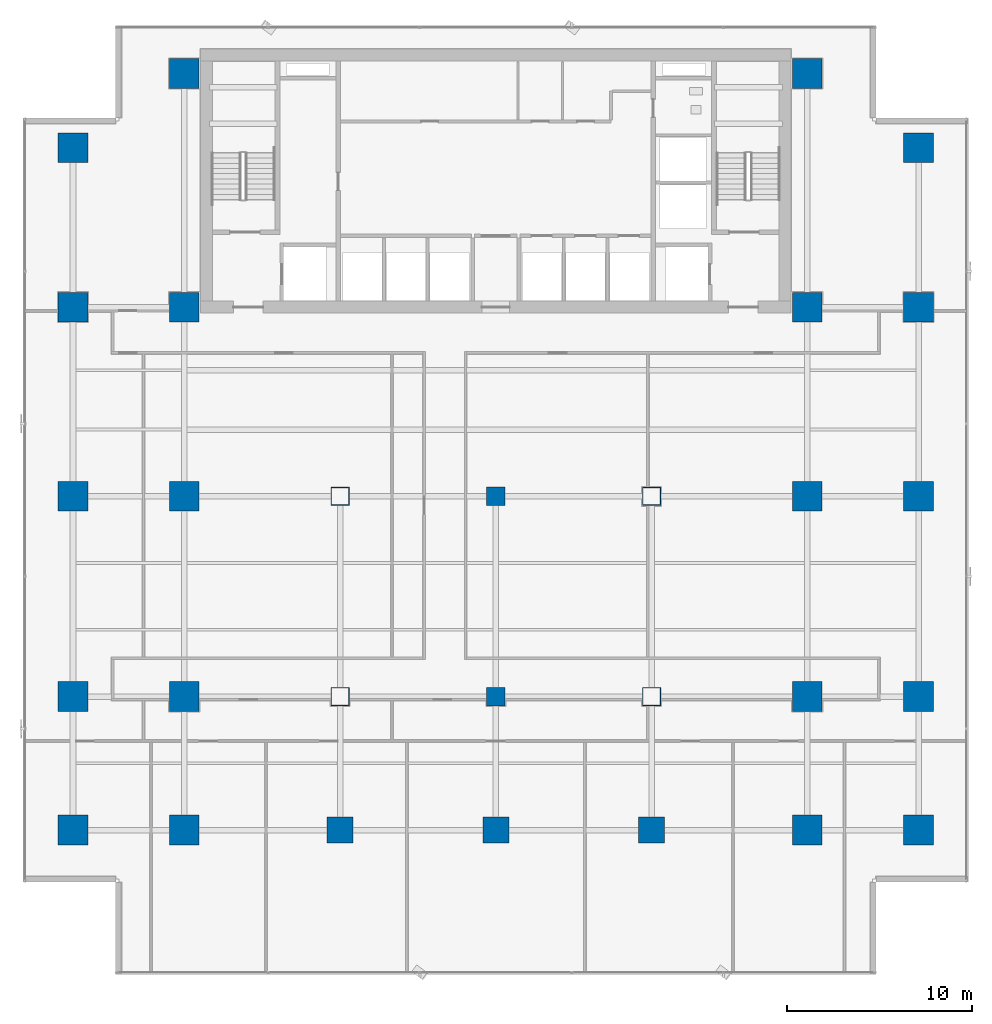
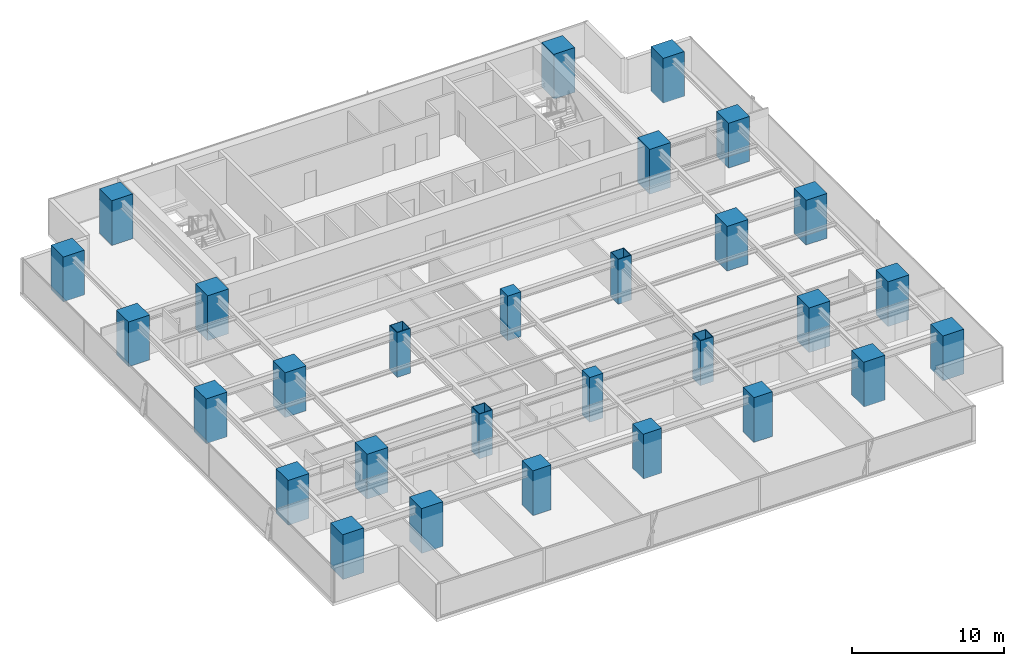
# One storey, part 1 of 37: 29 columns.
"""IFC4 building model written with IfcOpenShell, lengths in metres."""

from ifc_helpers import new_model, si_unit, direction, frame, origin, origin_2d, place, context, subcontext, project, spatial, rectangle, hollow_rectangle, extrude, source, transform, mapped, material, material_profile, profile_set, type_object, element, save


model = new_model("IFC4")

# Units and contexts
model_context = context("Model", 3, precision=1e-05, world=origin(), true_north=direction((0.0, 1.0)))
body_context = subcontext(model_context, "Body", "Model", "MODEL_VIEW")
ifc_project = project(units=[si_unit("LENGTHUNIT", "METRE"), si_unit("AREAUNIT", "SQUARE_METRE"), si_unit("VOLUMEUNIT", "CUBIC_METRE"), si_unit("PLANEANGLEUNIT", "RADIAN"), si_unit("MASSUNIT", "GRAM", prefix="KILO")], contexts=[model_context])

# Site, building, storey
site_placement = place(None, origin())
site = spatial("IfcSite", under=ifc_project, at=site_placement, CompositionType="ELEMENT")
building_placement = place(site_placement, origin())
building = spatial("IfcBuilding", under=site, at=building_placement, Name="Sumidabori Civic Tower", CompositionType="ELEMENT")
storey_placement = place(building_placement, frame((0.0, 0.0, 81.199951171875)))
storey = spatial("IfcBuildingStorey", under=building, at=storey_placement, Name="L20", CompositionType="ELEMENT", Elevation=81.199951171875)

# Columns
ifc_material_1 = material(Name="Concrete C60/75", Category="concrete")
ifc_material_profile_1 = material_profile(ifc_material_1, rectangle(XDim=1.60009765625, YDim=1.60009765625, at=origin_2d()), Name="RC 1600x1600")
ifc_profile_set_1 = profile_set([ifc_material_profile_1], Name="Concrete C60/75")
column_type_1 = type_object("IfcColumnType", Name="CL-MEGA-1600", PredefinedType="COLUMN", material=ifc_profile_set_1)
shared_shape_1 = source(origin(), body_context, "Body", "SweptSolid", [
    extrude(rectangle(XDim=1.60009765625, YDim=1.60009765625, at=origin_2d()), origin(), (0.0, 0.0, 1.0), 3.60009765625),
])
for number, where, z_axis, x_axis, name in (
    (1, (-16.800048828125, -18.0, 0.0), (0.0, 0.0, 1.0), (1.0, 0.0, 0.0), "Column MC-W16-Y18S L20"),
    (2, (-16.800048828125, -10.800048828125, 0.0), (0.0, 0.0, 1.0), (1.0, 0.0, 0.0), "Column MC-W16-Y11S L20"),
    (3, (-16.800048828125, 0.0, 0.0), (0.0, 0.0, 1.0), (1.0, 0.0, 0.0), "Column MC-W16-Y00 L20"),
    (4, (-16.800048828125, 10.199951171875, 0.0), (0.0, 0.0, 1.0), (1.0, 0.0, 0.0), "Column MC-W16-Y10N L20"),
    (5, (-16.800048828125, 22.800048828125, 0.0), (0.0, 0.0, 1.0), (1.0, 0.0, 0.0), "Column MC-W16-Y23N L20"),
    (6, (16.800048828125, -18.0, 0.0), (0.0, 0.0, 1.0), (1.0, 0.0, 0.0), "Column MC-E16-Y18S L20"),
    (7, (16.800048828125, -10.800048828125, 0.0), (0.0, 0.0, 1.0), (1.0, 0.0, 0.0), "Column MC-E16-Y11S L20"),
    (8, (16.800048828125, 0.0, 0.0), (0.0, 0.0, 1.0), (1.0, 0.0, 0.0), "Column MC-E16-Y00 L20"),
    (9, (16.800048828125, 10.199951171875, 0.0), (0.0, 0.0, 1.0), (1.0, 0.0, 0.0), "Column MC-E16-Y10N L20"),
    (10, (16.800048828125, 22.800048828125, 0.0), (0.0, 0.0, 1.0), (1.0, 0.0, 0.0), "Column MC-E16-Y23N L20"),
    (11, (-22.800048828125, -18.0, 0.0), (0.0, 0.0, 1.0), (1.0, 0.0, 0.0), "Column MC-W23-Y18S L20"),
    (12, (-22.800048828125, -10.800048828125, 0.0), (0.0, 0.0, 1.0), (1.0, 0.0, 0.0), "Column MC-W23-Y11S L20"),
    (13, (-22.800048828125, 0.0, 0.0), (0.0, 0.0, 1.0), (1.0, 0.0, 0.0), "Column MC-W23-Y00 L20"),
    (14, (-22.800048828125, 10.199951171875, 0.0), (0.0, 0.0, 1.0), (1.0, 0.0, 0.0), "Column MC-W23-Y10N L20"),
    (15, (-22.800048828125, 18.800048828125, 0.0), (0.0, 0.0, 1.0), (1.0, 0.0, 0.0), "Column MC-W23-Y19N L20"),
    (16, (22.800048828125, -18.0, 0.0), (0.0, 0.0, 1.0), (1.0, 0.0, 0.0), "Column MC-E23-Y18S L20"),
    (17, (22.800048828125, -10.800048828125, 0.0), (0.0, 0.0, 1.0), (1.0, 0.0, 0.0), "Column MC-E23-Y11S L20"),
    (18, (22.800048828125, 0.0, 0.0), (0.0, 0.0, 1.0), (1.0, 0.0, 0.0), "Column MC-E23-Y00 L20"),
    (19, (22.800048828125, 10.199951171875, 0.0), (0.0, 0.0, 1.0), (1.0, 0.0, 0.0), "Column MC-E23-Y10N L20"),
    (20, (22.800048828125, 18.800048828125, 0.0), (0.0, 0.0, 1.0), (1.0, 0.0, 0.0), "Column MC-E23-Y19N L20"),
):
    element("IfcColumn", number, at=place(storey_placement, frame(where, z_axis=z_axis, x_axis=x_axis)), inside=storey, type_object=column_type_1, Name=name, PredefinedType="COLUMN", context=body_context, shape_type="MappedRepresentation", body=[
        mapped(shared_shape_1, transform((0.0, 0.0, 0.0), x_axis=(1.0, 0.0, 0.0), y_axis=(0.0, 1.0, 0.0), z_axis=(0.0, 0.0, 1.0), scale=1.0)),
    ])
ifc_material_2 = material(Name="Steel SM570", Category="steel")
ifc_material_profile_2 = material_profile(ifc_material_2, hollow_rectangle(XDim=1.0, YDim=1.0, WallThickness=0.044921875, at=origin_2d()), Name="SHS 1000x1000x45")
ifc_profile_set_2 = profile_set([ifc_material_profile_2], Name="Steel SM570")
column_type_2 = type_object("IfcColumnType", Name="CL-PORTAL-SHS1000", PredefinedType="COLUMN", material=ifc_profile_set_2)
shared_shape_2 = source(origin(), body_context, "Body", "SweptSolid", [
    extrude(hollow_rectangle(XDim=1.0, YDim=1.0, WallThickness=0.044921875, at=origin_2d()), origin(), (0.0, 0.0, 1.0), 3.60009765625),
])
for number, where, z_axis, x_axis, name in (
    (21, (-8.39990234375, 0.0, 0.0), (0.0, 0.0, 1.0), (1.0, 0.0, 0.0), "Column MC-W08-Y00 L20"),
    (22, (-8.39990234375, -10.800048828125, 0.0), (0.0, 0.0, 1.0), (1.0, 0.0, 0.0), "Column MC-W08-Y11S L20"),
    (23, (8.39990234375, 0.0, 0.0), (0.0, 0.0, 1.0), (1.0, 0.0, 0.0), "Column MC-E08-Y00 L20"),
    (24, (8.39990234375, -10.800048828125, 0.0), (0.0, 0.0, 1.0), (1.0, 0.0, 0.0), "Column MC-E08-Y11S L20"),
):
    element("IfcColumn", number, at=place(storey_placement, frame(where, z_axis=z_axis, x_axis=x_axis)), inside=storey, type_object=column_type_2, Name=name, PredefinedType="COLUMN", context=body_context, shape_type="MappedRepresentation", body=[
        mapped(shared_shape_2, transform((0.0, 0.0, 0.0), x_axis=(1.0, 0.0, 0.0), y_axis=(0.0, 1.0, 0.0), z_axis=(0.0, 0.0, 1.0), scale=1.0)),
    ])
ifc_material_profile_3 = material_profile(ifc_material_1, rectangle(XDim=1.39990234375, YDim=1.39990234375, at=origin_2d()), Name="RC 1400x1400")
ifc_profile_set_3 = profile_set([ifc_material_profile_3], Name="Concrete C60/75")
column_type_3 = type_object("IfcColumnType", Name="CL-MEGA-1400", PredefinedType="COLUMN", material=ifc_profile_set_3)
shared_shape_3 = source(origin(), body_context, "Body", "SweptSolid", [
    extrude(rectangle(XDim=1.39990234375, YDim=1.39990234375, at=origin_2d()), origin(), (0.0, 0.0, 1.0), 3.60009765625),
])
for number, where, z_axis, x_axis, name in (
    (25, (-8.39990234375, -18.0, 0.0), (0.0, 0.0, 1.0), (1.0, 0.0, 0.0), "Column MC-W08-Y18S L20"),
    (26, (8.39990234375, -18.0, 0.0), (0.0, 0.0, 1.0), (1.0, 0.0, 0.0), "Column MC-E08-Y18S L20"),
    (27, (0.0, -18.0, 0.0), (0.0, 0.0, 1.0), (1.0, 0.0, 0.0), "Column MC-C00-Y18S L20"),
):
    element("IfcColumn", number, at=place(storey_placement, frame(where, z_axis=z_axis, x_axis=x_axis)), inside=storey, type_object=column_type_3, Name=name, PredefinedType="COLUMN", context=body_context, shape_type="MappedRepresentation", body=[
        mapped(shared_shape_3, transform((0.0, 0.0, 0.0), x_axis=(1.0, 0.0, 0.0), y_axis=(0.0, 1.0, 0.0), z_axis=(0.0, 0.0, 1.0), scale=1.0)),
    ])
ifc_material_3 = material(Name="Concrete C50/60", Category="concrete")
ifc_material_profile_4 = material_profile(ifc_material_3, rectangle(XDim=1.0, YDim=1.0, at=origin_2d()), Name="RC 1000x1000")
ifc_profile_set_4 = profile_set([ifc_material_profile_4], Name="Concrete C50/60")
column_type_4 = type_object("IfcColumnType", Name="CL-INT-1000", PredefinedType="COLUMN", material=ifc_profile_set_4)
shared_shape_4 = source(origin(), body_context, "Body", "SweptSolid", [
    extrude(rectangle(XDim=1.0, YDim=1.0, at=origin_2d()), origin(), (0.0, 0.0, 1.0), 3.60009765625),
])
for number, where, z_axis, x_axis, name in (
    (28, (0.0, -10.800048828125, 0.0), (0.0, 0.0, 1.0), (1.0, 0.0, 0.0), "Column MC-C00-Y11S L20"),
    (29, (0.0, 0.0, 0.0), (0.0, 0.0, 1.0), (1.0, 0.0, 0.0), "Column MC-C00-Y00 L20"),
):
    element("IfcColumn", number, at=place(storey_placement, frame(where, z_axis=z_axis, x_axis=x_axis)), inside=storey, type_object=column_type_4, Name=name, PredefinedType="COLUMN", context=body_context, shape_type="MappedRepresentation", body=[
        mapped(shared_shape_4, transform((0.0, 0.0, 0.0), x_axis=(1.0, 0.0, 0.0), y_axis=(0.0, 1.0, 0.0), z_axis=(0.0, 0.0, 1.0), scale=1.0)),
    ])

save(model, "model.ifc")
